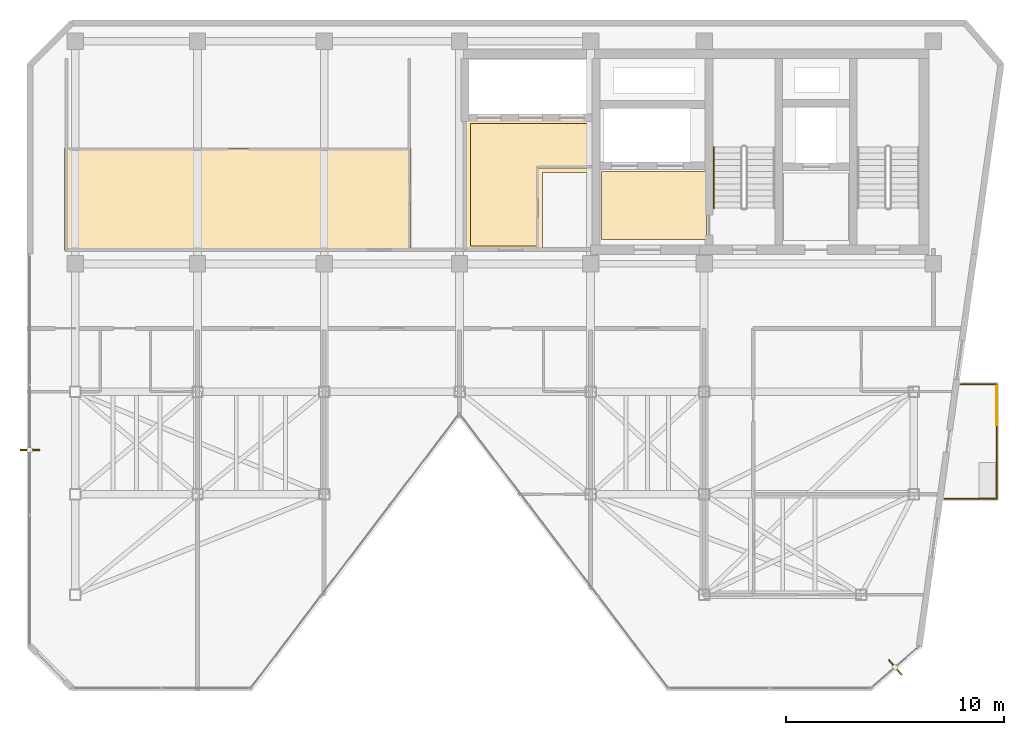
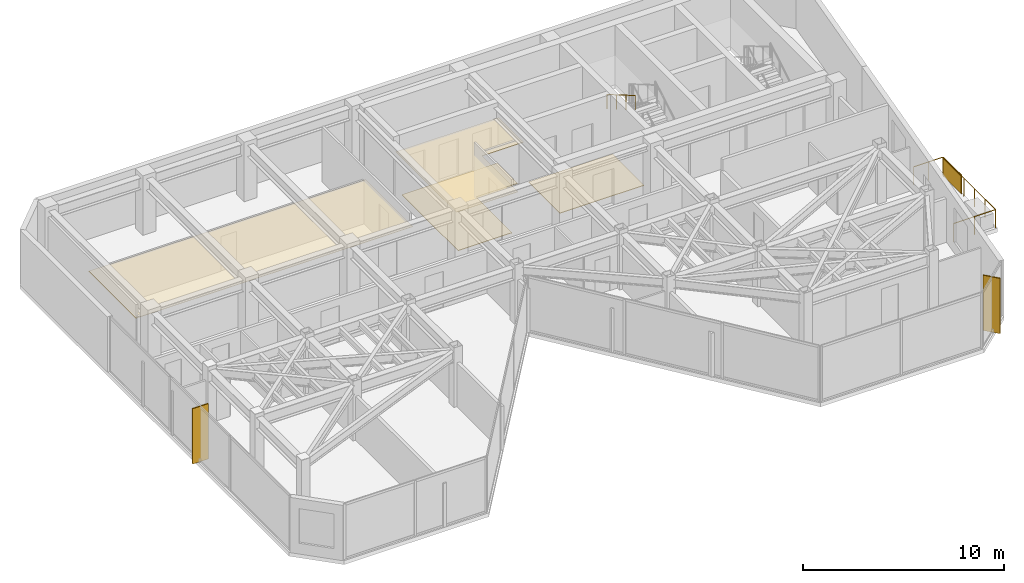
# One storey, part 18 of 19: 4 coverings, 4 railings, 3 shading devices.
"""IFC4 building model written with IfcOpenShell, lengths in metres."""

from ifc_helpers import new_model, si_unit, direction, frame, origin, origin_2d, place, context, subcontext, project, spatial, polyline, rectangle, circle, outline, extrude, material, layer, layer_set, type_object, element, save


model = new_model("IFC4")

# Units and contexts
model_context = context("Model", 3, precision=1e-05, world=origin(), true_north=direction((0.0, 1.0)))
body_context = subcontext(model_context, "Body", "Model", "MODEL_VIEW")
ifc_project = project(units=[si_unit("LENGTHUNIT", "METRE"), si_unit("AREAUNIT", "SQUARE_METRE"), si_unit("VOLUMEUNIT", "CUBIC_METRE"), si_unit("PLANEANGLEUNIT", "RADIAN"), si_unit("MASSUNIT", "GRAM", prefix="KILO")], contexts=[model_context])

# Site, building, storey
site_placement = place(None, origin())
site = spatial("IfcSite", under=ifc_project, at=site_placement, CompositionType="ELEMENT")
building_placement = place(site_placement, origin())
building = spatial("IfcBuilding", under=site, at=building_placement, Name="Kravanh Interchange Tower", CompositionType="ELEMENT")
storey_placement = place(building_placement, frame((0.0, 0.0, 259.800048828125)))
storey = spatial("IfcBuildingStorey", under=building, at=storey_placement, Name="L63", CompositionType="ELEMENT", Elevation=259.800048828125)

# Coverings
ifc_material_1 = material(Name="Cementitious Terrazzo Tile")
ifc_layer_1 = layer(ifc_material_1, 0.030029296875)
ifc_layer_set_1 = layer_set([ifc_layer_1], Name="Honed Terrazzo Lobby Flooring 30mm")
covering_type_1 = type_object("IfcCoveringType", Name="Honed Terrazzo Lobby Flooring 30mm", PredefinedType="FLOORING", material=ifc_layer_set_1)
covering_1_placement = place(storey_placement, origin())
element("IfcCovering", 1, at=covering_1_placement, inside=storey, type_object=covering_type_1, Name="L63 Firefighting Lobby Floor Finish", PredefinedType="FLOORING", context=body_context, shape_type="SweptSolid", body=[
    extrude(outline(polyline([(56.1201171875, 38.4599609375), (51.300048828125, 38.4599609375), (51.300048828125, 41.580078125), (56.1201171875, 41.580078125), (56.1201171875, 38.4599609375)])), origin(), (0.0, 0.0, 1.0), 0.030029296875),
])
covering_2_placement = place(storey_placement, origin())
element("IfcCovering", 2, at=covering_2_placement, inside=storey, type_object=covering_type_1, Name="L63 High-Rise Lift Lobby Floor Finish", PredefinedType="FLOORING", context=body_context, shape_type="SweptSolid", body=[
    extrude(outline(polyline([(45.300048828125, 43.77001953125), (50.77001953125, 43.77001953125), (50.77001953125, 41.75), (48.389892578125, 41.75), (48.389892578125, 38.179931640625), (45.300048828125, 38.179931640625), (45.300048828125, 43.77001953125)])), origin(), (0.0, 0.0, 1.0), 0.030029296875),
])
ifc_material_2 = material(Name="Acoustic Mineral Fibre Tile on Aluminium Grid", Category="aluminium")
ifc_layer_2 = layer(ifc_material_2, 0.02490234375)
ifc_layer_set_2 = layer_set([ifc_layer_2], Name="Perforated Acoustic Mineral Ceiling 25mm")
covering_type_2 = type_object("IfcCoveringType", Name="Perforated Acoustic Mineral Ceiling 25mm", PredefinedType="CEILING", material=ifc_layer_set_2)
covering_3_placement = place(storey_placement, frame((0.0, 0.0, 2.550048828125)))
element("IfcCovering", 3, at=covering_3_placement, inside=storey, type_object=covering_type_2, Name="L63 High-Rise Lift Lobby Suspended Ceiling", PredefinedType="CEILING", context=body_context, shape_type="SweptSolid", body=[
    extrude(outline(polyline([(50.989990234375, 41.530029296875), (48.610107421875, 41.530029296875), (48.610107421875, 37.9599609375), (45.080078125, 37.9599609375), (45.080078125, 43.989990234375), (50.989990234375, 43.989990234375), (50.989990234375, 41.530029296875)])), origin(), (0.0, 0.0, 1.0), 0.02490234375),
])
covering_4_placement = place(storey_placement, frame((0.0, 0.0, 2.550048828125)))
element("IfcCovering", 4, at=covering_4_placement, inside=storey, type_object=covering_type_2, Name="L63 Executive Business Study Suspended Ceiling", PredefinedType="CEILING", context=body_context, shape_type="SweptSolid", body=[
    extrude(outline(polyline([(42.580078125, 42.659912109375), (42.580078125, 37.9599609375), (26.7099609375, 37.9599609375), (26.7099609375, 42.659912109375), (42.580078125, 42.659912109375)])), origin(), (0.0, 0.0, 1.0), 0.02490234375),
])

# Shading device
ifc_material_3 = material(Name="Perforated Anodised Bronze Aluminium", Category="aluminium")
ifc_layer_3 = layer(ifc_material_3, 0.0400390625)
ifc_layer_set_3 = layer_set([ifc_layer_3], Name="Perforated Bronze Balcony Privacy Screen 1150mm")
shading_device_type_1 = type_object("IfcShadingDeviceType", Name="Perforated Bronze Balcony Privacy Screen 1150mm", PredefinedType="USERDEFINED", material=ifc_layer_set_3)
shading_device_placement = place(storey_placement, frame((69.409912109375, 30.860107421875, 0.0), z_axis=(0.0, 0.0, 1.0), x_axis=(1.0, 0.0, 0.0)))
element("IfcShadingDevice", 5, at=shading_device_placement, inside=storey, type_object=shading_device_type_1, Name="L63 E Perforated Bronze BALCONY SCREEN", ObjectType="SCREEN", PredefinedType="USERDEFINED", context=body_context, shape_type="SweptSolid", body=[
    extrude(rectangle(XDim=0.0400390625, YDim=1.800048828125, at=origin_2d()), origin(), (0.0, 0.0, 1.0), 1.14990234375),
])

# Railings
ifc_material_4 = material(Name="Stainless Steel 316", Category="steel")
ifc_layer_4 = layer(ifc_material_4, 0.06005859375)
ifc_layer_set_4 = layer_set([ifc_layer_4], Name="Perimeter Balcony and Terrace Guardrail Stainless 316 1120mm")
railing_type_1 = type_object("IfcRailingType", Name="Perimeter Balcony and Terrace Guardrail Stainless 316 1120mm", PredefinedType="GUARDRAIL", material=ifc_layer_set_4)
railing_1_placement = place(storey_placement, frame((69.409912109375, 31.830078125, 0.0)))
element("IfcRailing", 6, at=railing_1_placement, inside=storey, type_object=railing_type_1, Name="L63 E Balcony Guardrail 1", PredefinedType="GUARDRAIL", context=body_context, shape_type="SweptSolid", body=[
    extrude(circle(Radius=0.02392578125, at=origin_2d()), frame((0.0, 0.0, 1.09619140625), z_axis=(0.0, -1.0, 0.0), x_axis=(1.0, 0.0, 0.0)), (0.0, 0.0, 1.0), 5.239990234375),
    extrude(circle(Radius=0.02099609375, at=origin_2d()), origin(), (0.0, 0.0, 1.0), 1.072021484375),
    extrude(circle(Radius=0.02099609375, at=origin_2d()), frame((0.0, -1.048095703125, 0.0)), (0.0, 0.0, 1.0), 1.072021484375),
    extrude(circle(Radius=0.02099609375, at=origin_2d()), frame((0.0, -2.095947265625, 0.0)), (0.0, 0.0, 1.0), 1.072021484375),
    extrude(circle(Radius=0.02099609375, at=origin_2d()), frame((0.0, -3.14404296875, 0.0)), (0.0, 0.0, 1.0), 1.072021484375),
    extrude(circle(Radius=0.02099609375, at=origin_2d()), frame((0.0, -4.19189453125, 0.0)), (0.0, 0.0, 1.0), 1.072021484375),
    extrude(circle(Radius=0.02099609375, at=origin_2d()), frame((0.0, -5.239990234375, 0.0)), (0.0, 0.0, 1.0), 1.072021484375),
])
railing_2_placement = place(storey_placement, frame((69.409912109375, 26.590087890625, 0.0)))
element("IfcRailing", 7, at=railing_2_placement, inside=storey, type_object=railing_type_1, Name="L63 E Balcony Guardrail 2", PredefinedType="GUARDRAIL", context=body_context, shape_type="SweptSolid", body=[
    extrude(circle(Radius=0.02392578125, at=origin_2d()), frame((0.0, 0.0, 1.09619140625), z_axis=(-1.0, 0.0, 0.0), x_axis=(0.0, -1.0, 0.0)), (0.0, 0.0, 1.0), 2.393310546875),
    extrude(circle(Radius=0.02099609375, at=origin_2d()), origin(), (0.0, 0.0, 1.0), 1.072021484375),
    extrude(circle(Radius=0.02099609375, at=origin_2d()), frame((-1.19677734375, 0.0, 0.0)), (0.0, 0.0, 1.0), 1.072021484375),
    extrude(circle(Radius=0.02099609375, at=origin_2d()), frame((-2.393310546875, 0.0, 0.0)), (0.0, 0.0, 1.0), 1.072021484375),
])
railing_3_placement = place(storey_placement, frame((67.753173828125, 31.830078125, 0.0)))
element("IfcRailing", 8, at=railing_3_placement, inside=storey, type_object=railing_type_1, Name="L63 E Balcony Guardrail 3", PredefinedType="GUARDRAIL", context=body_context, shape_type="SweptSolid", body=[
    extrude(circle(Radius=0.02392578125, at=origin_2d()), frame((0.0, 0.0, 1.09619140625), z_axis=(1.0, 0.0, 0.0), x_axis=(0.0, 1.0, 0.0)), (0.0, 0.0, 1.0), 1.65673828125),
    extrude(circle(Radius=0.02099609375, at=origin_2d()), origin(), (0.0, 0.0, 1.0), 1.072021484375),
    extrude(circle(Radius=0.02099609375, at=origin_2d()), frame((0.828369140625, 0.0, 0.0)), (0.0, 0.0, 1.0), 1.072021484375),
    extrude(circle(Radius=0.02099609375, at=origin_2d()), frame((1.65673828125, 0.0, 0.0)), (0.0, 0.0, 1.0), 1.072021484375),
])
ifc_material_5 = material(Name="Stainless Steel 304", Category="steel")
ifc_layer_5 = layer(ifc_material_5, 0.044921875)
ifc_layer_set_5 = layer_set([ifc_layer_5], Name="Tubular Stair Handrail Stainless 304 900mm")
railing_type_2 = type_object("IfcRailingType", Name="Tubular Stair Handrail Stainless 304 900mm", PredefinedType="HANDRAIL", material=ifc_layer_set_5)
railing_4_placement = place(storey_placement, frame((56.449951171875, 42.699951171875, 1.963623046875)))
element("IfcRailing", 9, at=railing_4_placement, inside=storey, type_object=railing_type_2, Name="L63 ST2 stair handrail 2", PredefinedType="HANDRAIL", context=body_context, shape_type="SweptSolid", body=[
    extrude(circle(Radius=0.02392578125, at=origin_2d()), frame((0.0, 0.0, 0.8759765625), z_axis=(0.0, -0.863393664356, 0.504530851732), x_axis=(1.0, 0.0, 0.0)), (0.0, 0.0, 1.0), 3.2431640625),
    extrude(circle(Radius=0.02099609375, at=origin_2d()), origin(), (0.0, 0.0, 1.0), 0.851806640625),
    extrude(circle(Radius=0.02099609375, at=origin_2d()), frame((0.0, -0.933349609375, 0.54541015625)), (0.0, 0.0, 1.0), 0.851806640625),
    extrude(circle(Radius=0.02099609375, at=origin_2d()), frame((0.0, -1.86669921875, 1.0908203125)), (0.0, 0.0, 1.0), 0.851806640625),
    extrude(circle(Radius=0.02099609375, at=origin_2d()), frame((0.0, -2.800048828125, 1.63623046875)), (0.0, 0.0, 1.0), 0.851806640625),
])

# Shading devices
ifc_material_6 = material(Name="Anodised Champagne Bronze Aluminium", Category="aluminium")
ifc_layer_6 = layer(ifc_material_6, 0.06005859375)
ifc_layer_set_6 = layer_set([ifc_layer_6], Name="Vertical Bronze Solar Fin 900mm")
shading_device_type_2 = type_object("IfcShadingDeviceType", Name="Vertical Bronze Solar Fin 900mm", PredefinedType="USERDEFINED", material=ifc_layer_set_6)
for number, where, z_axis, x_axis, name in (
    (10, (25.1201171875, 28.824951171875, 0.0), (0.0, 0.0, 1.0), (-1.0, 0.0, 0.0), "L63 BRONZE SOLAR FIN 1"),
    (11, (64.745849609375, 18.880859375, 0.0), (0.0, 0.0, 1.0), (0.656059788471, -0.754708920016, 0.0), "L63 BRONZE SOLAR FIN 2"),
):
    element("IfcShadingDevice", number, at=place(storey_placement, frame(where, z_axis=z_axis, x_axis=x_axis)), inside=storey, type_object=shading_device_type_2, Name=name, ObjectType="FIN", PredefinedType="USERDEFINED", context=body_context, shape_type="SweptSolid", body=[
        extrude(rectangle(XDim=0.89990234375, YDim=0.06005859375, at=origin_2d()), origin(), (0.0, 0.0, 1.0), 3.35009765625),
    ])

save(model, "model.ifc")
